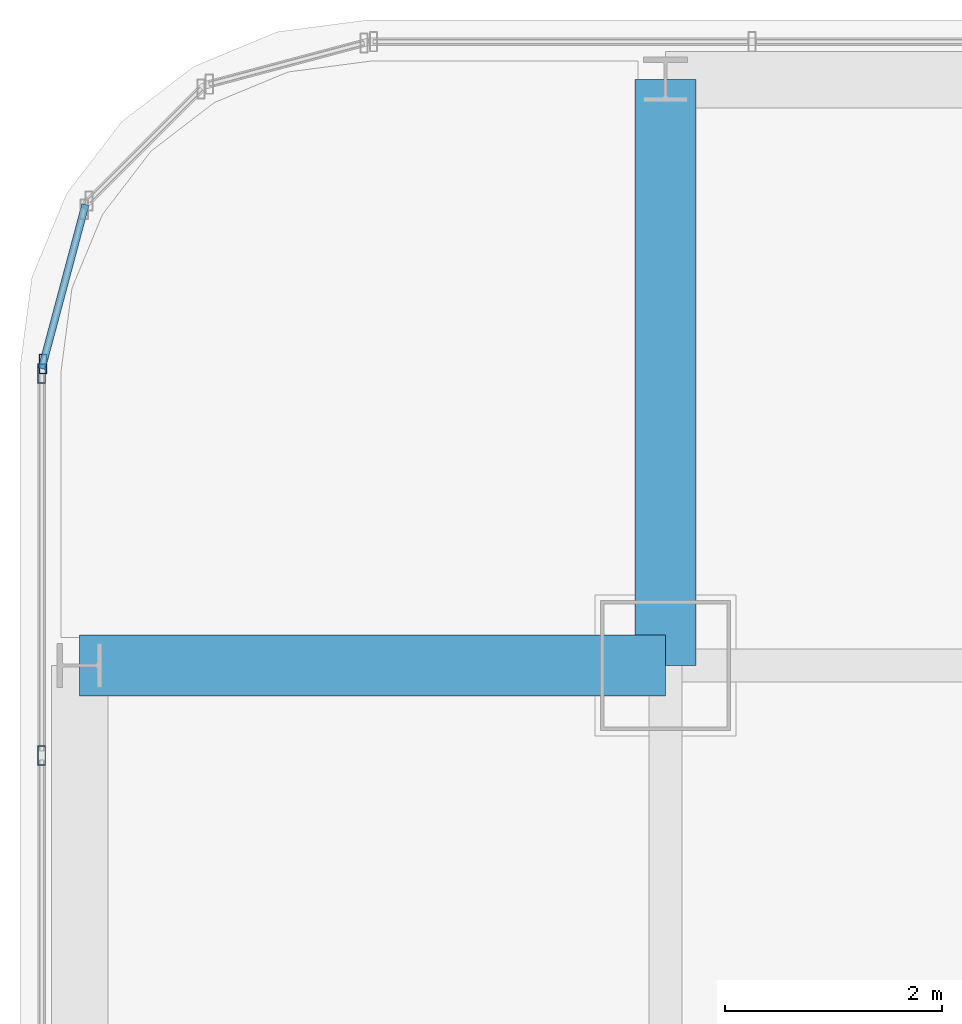
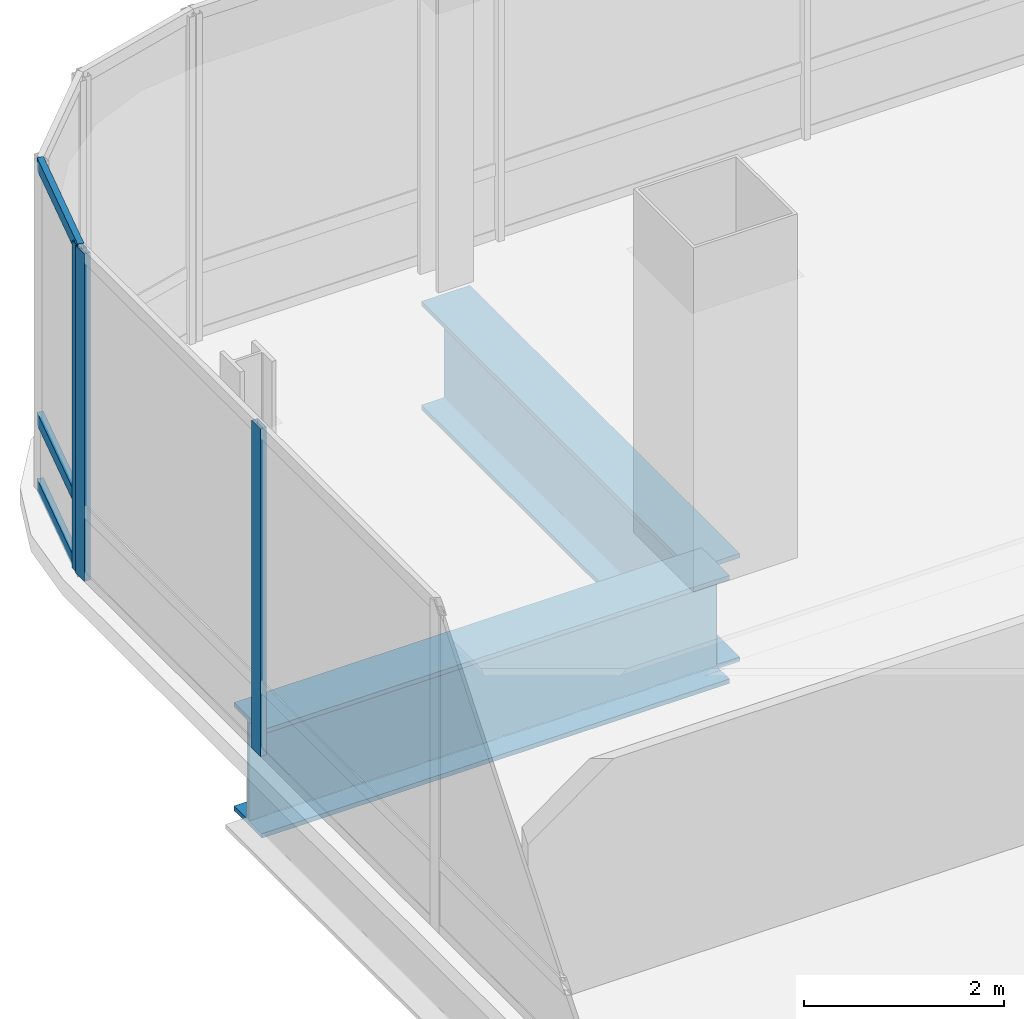
# One storey, part 21 of 42: 6 members, 2 beams, 2 elements without a shape of their own.
"""IFC4 building model written with IfcOpenShell, lengths in metres."""

import ifcopenshell
import ifcopenshell.guid

model = None  # the IFC model being written
_history = None  # IfcOwnerHistory: only IFC2X3 demands one
_inside = {}  # id of a spatial element -> (the spatial element, [elements in it])
_under = {}  # id of a project, library or spatial element -> (it, [spatial elements below it])
_declared = {}  # id of a project -> (the project, [libraries it declares])
_typed = {}  # id of a type object -> (the type object, [elements of that type])
_made_of = {}  # id of a material, layer set ... -> (it, [elements and type objects made of it])


def new_model(schema):
    """Start an empty IFC model of exactly this schema.

    Asked for "IFC4X3", IfcOpenShell would pick the latest addendum, in which some entities
    have other attributes; the version numbers below select the first issue.
    IFC2X3 requires an IfcOwnerHistory on every rooted entity: one is made here for all.
    """
    global model, _history
    if schema == "IFC4X3":
        model = ifcopenshell.file(schema_version=(4, 3, 0, 0))
    else:
        model = ifcopenshell.file(schema=schema)
    _inside.clear()
    _under.clear()
    _declared.clear()
    _typed.clear()
    _made_of.clear()
    _history = None
    if model.schema == "IFC2X3":
        org = make("IfcOrganization", Name="unknown")
        user = make(
            "IfcPersonAndOrganization",
            ThePerson=make("IfcPerson", FamilyName="unknown"),
            TheOrganization=org,
        )
        app = make(
            "IfcApplication",
            ApplicationDeveloper=org,
            Version="unknown",
            ApplicationFullName="unknown",
            ApplicationIdentifier="unknown",
        )
        _history = make(
            "IfcOwnerHistory",
            OwningUser=user,
            OwningApplication=app,
            ChangeAction="ADDED",
            CreationDate=0,
        )
    return model


def make(cls, **values):
    """One entity of the class cls with the attributes given. An attribute that is None is left unset."""
    return model.create_entity(
        cls, **{name: value for name, value in values.items() if value is not None}
    )


def rooted(cls, **values):
    """An entity with a GlobalId (a new one), such as an element, a storey or a relation."""
    return make(cls, GlobalId=ifcopenshell.guid.new(), OwnerHistory=_history, **values)


def si_unit(unit_type, name, prefix=None):
    """IfcSIUnit, for example si_unit("LENGTHUNIT", "METRE", prefix="MILLI")."""
    return make("IfcSIUnit", UnitType=unit_type, Prefix=prefix, Name=name)


def assignment(units):
    """IfcUnitAssignment: the units of a project."""
    return None if units is None else make("IfcUnitAssignment", Units=units)


def point(xyz):
    """IfcCartesianPoint."""
    return None if xyz is None else make("IfcCartesianPoint", Coordinates=xyz)


def direction(xyz):
    """IfcDirection."""
    return None if xyz is None else make("IfcDirection", DirectionRatios=xyz)


def frame(location, z_axis=None, x_axis=None):
    """IfcAxis2Placement3D, a coordinate frame: its origin and axes. An axis left out is left unset."""
    return make(
        "IfcAxis2Placement3D",
        Location=point(location),
        Axis=direction(z_axis),
        RefDirection=direction(x_axis),
    )


def frame_2d(location, x_axis=None):
    """IfcAxis2Placement2D, a coordinate frame in the plane: its origin and x axis."""
    return make(
        "IfcAxis2Placement2D", Location=point(location), RefDirection=direction(x_axis)
    )


def origin():
    """The frame at (0, 0, 0) with its axes left unset."""
    return frame((0.0, 0.0, 0.0))


def origin_2d():
    """The frame at (0, 0) in the plane with its x axis left unset."""
    return frame_2d((0.0, 0.0))


def place(relative_to, where):
    """IfcLocalPlacement: puts the frame where relative to a parent placement (None: the world)."""
    return make(
        "IfcLocalPlacement", PlacementRelTo=relative_to, RelativePlacement=where
    )


def context(
    kind, dimensions, precision=None, world=None, true_north=None, identifier=None
):
    """IfcGeometricRepresentationContext, for example the 3D "Model" context."""
    return make(
        "IfcGeometricRepresentationContext",
        ContextIdentifier=identifier,
        ContextType=kind,
        CoordinateSpaceDimension=dimensions,
        Precision=precision,
        WorldCoordinateSystem=world,
        TrueNorth=true_north,
    )


def subcontext(parent, identifier, kind, view, scale=None):
    """IfcGeometricRepresentationSubContext, for example "Body" below "Model"."""
    return make(
        "IfcGeometricRepresentationSubContext",
        ContextIdentifier=identifier,
        ContextType=kind,
        ParentContext=parent,
        TargetScale=scale,
        TargetView=view,
    )


def project(units=None, contexts=None):
    """IfcProject with its units and contexts."""
    return rooted(
        "IfcProject",
        Name="project",
        RepresentationContexts=contexts,
        UnitsInContext=assignment(units),
    )


def spatial(cls, under=None, at=None, **own):
    """A site, building, storey or space (cls), placed at a placement, below another one or the project."""
    s = rooted(cls, ObjectPlacement=at, **own)
    if under is not None:
        _under.setdefault(under.id(), (under, []))[1].append(s)
    return s


def profile(cls, at=None, kind="AREA", **sizes):
    """A parametric profile (cls). Its sizes go by their IFC names, for example OverallWidth=200.0."""
    return make(cls, ProfileType=kind, Position=at, **sizes)


def hollow_rectangle(**sizes):
    """IfcRectangleHollowProfileDef."""
    return profile("IfcRectangleHollowProfileDef", **sizes)


def i_section(**sizes):
    """IfcIShapeProfileDef."""
    return profile("IfcIShapeProfileDef", **sizes)


def extrude(swept, where, along, depth):
    """IfcExtrudedAreaSolid: the profile swept, set in the frame where, extruded along a direction by depth."""
    return make(
        "IfcExtrudedAreaSolid",
        SweptArea=swept,
        Position=where,
        ExtrudedDirection=direction(along),
        Depth=depth,
    )


def shape(context_of_items, identifier, shape_type, items):
    """IfcShapeRepresentation: the items that make up one representation, for example the "Body"."""
    return make(
        "IfcShapeRepresentation",
        ContextOfItems=context_of_items,
        RepresentationIdentifier=identifier,
        RepresentationType=shape_type,
        Items=items,
    )


def material(Name=None, Category=None):
    """IfcMaterial."""
    return make("IfcMaterial", Name=Name, Category=Category)


def material_profile(
    of_material, cross_section, Name=None, Category=None, Priority=None
):
    """IfcMaterialProfile: a cross section and its material."""
    return make(
        "IfcMaterialProfile",
        Name=Name,
        Material=of_material,
        Profile=cross_section,
        Priority=Priority,
        Category=Category,
    )


def profile_set(profiles, Name=None, composite=None):
    """IfcMaterialProfileSet."""
    return make(
        "IfcMaterialProfileSet",
        Name=Name,
        MaterialProfiles=profiles,
        CompositeProfile=composite,
    )


def made_of(thing, what):
    """Note that an element or type object is made of a material, layer set ...; save() writes the relation."""
    if what is not None:
        _made_of.setdefault(what.id(), (what, []))[1].append(thing)
    return thing


def type_object(cls, material=None, **own):
    """A type object (cls), such as IfcWallType, which elements share."""
    return made_of(rooted(cls, **own), material)


def element(
    cls,
    number,
    at=None,
    inside=None,
    cuts=None,
    type_object=None,
    material=None,
    context=None,
    identifier="Body",
    shape_type=None,
    held_by="IfcProductDefinitionShape",
    body=None,
    shapes=None,
    **own,
):
    """One element of the class cls, such as IfcWall. Its Tag is "e" and its number.

    at: its placement. inside: the storey or other place that contains it. cuts: it is an
    opening in that element (IfcRelVoidsElement). A single representation is given by context,
    identifier, shape_type and body (its items); several are given by shapes. held_by: the class
    of the entity that holds the representations. save() writes the other relations.
    """
    e = rooted(cls, Tag="e%d" % number, ObjectPlacement=at, **own)
    if body is not None:
        shapes = [shape(context, identifier, shape_type, body)]
    if shapes is not None:
        e.Representation = make(held_by, Representations=shapes)
    if inside is not None:
        _inside.setdefault(inside.id(), (inside, []))[1].append(e)
    if cuts is not None:
        rooted(
            "IfcRelVoidsElement", RelatingBuildingElement=cuts, RelatedOpeningElement=e
        )
    if type_object is not None:
        _typed.setdefault(type_object.id(), (type_object, []))[1].append(e)
    return made_of(e, material)


def aggregate(whole, parts):
    """IfcRelAggregates: a whole, such as a stair, and the parts it consists of."""
    return rooted("IfcRelAggregates", RelatingObject=whole, RelatedObjects=parts)


def save(model, path):
    """Write the relations noted so far, then the file.

    IfcRelAggregates (storeys below a building ...), IfcRelContainedInSpatialStructure (elements
    in a storey), IfcRelDefinesByType, IfcRelAssociatesMaterial and IfcRelDeclares: one each for
    every whole, place, type object, material and project.
    """
    for whole, parts in _under.values():
        aggregate(whole, parts)
    for where, things in _inside.values():
        rooted(
            "IfcRelContainedInSpatialStructure",
            RelatedElements=things,
            RelatingStructure=where,
        )
    for kind, things in _typed.values():
        rooted("IfcRelDefinesByType", RelatedObjects=things, RelatingType=kind)
    for what, things in _made_of.values():
        rooted("IfcRelAssociatesMaterial", RelatedObjects=things, RelatingMaterial=what)
    for by, libraries in _declared.values():
        rooted("IfcRelDeclares", RelatingContext=by, RelatedDefinitions=libraries)
    model.write(path)


model = new_model("IFC4")

# Units and contexts
model_context = context("Model", 3, precision=1e-05, world=origin(), true_north=direction((0.0, 1.0)))
body_context = subcontext(model_context, "Body", "Model", "MODEL_VIEW")
ifc_project = project(units=[si_unit("LENGTHUNIT", "METRE"), si_unit("AREAUNIT", "SQUARE_METRE"), si_unit("VOLUMEUNIT", "CUBIC_METRE"), si_unit("PLANEANGLEUNIT", "RADIAN"), si_unit("MASSUNIT", "GRAM", prefix="KILO")], contexts=[model_context])

# Site, building, storey
site_placement = place(None, origin())
site = spatial("IfcSite", under=ifc_project, at=site_placement, CompositionType="ELEMENT")
building_placement = place(site_placement, origin())
building = spatial("IfcBuilding", under=site, at=building_placement, Name="Punatoya Terracotta Tower", CompositionType="ELEMENT")
storey_placement = place(building_placement, frame((0.0, 0.0, 296.39990234375)))
storey = spatial("IfcBuildingStorey", under=building, at=storey_placement, Name="L70", CompositionType="ELEMENT", Elevation=296.39990234375)

# Beams
ifc_material_1 = material(Name="Steel S460", Category="steel")
ifc_material_profile_1 = material_profile(ifc_material_1, i_section(OverallWidth=0.56005859375, OverallDepth=1.320068359375, WebThickness=0.035888671875, FlangeThickness=0.054931640625, FilletRadius=0.01806640625, at=origin_2d()))
ifc_profile_set_1 = profile_set([ifc_material_profile_1], Name="Steel S460")
beam_type = type_object("IfcBeamType", Name="BM-TG-BLK", PredefinedType="BEAM", material=ifc_profile_set_1)
for number, where, z_axis, x_axis, name in (
    (1, (-24.5, 17.5, -0.85986328125), (1.0, 0.0, 0.0), (0.0, 1.0, 0.0), "BM-L70-CANT-W4"),
    (2, (-19.10009765625, 17.5, -0.85986328125), (0.0, 1.0, 0.0), (-1.0, 0.0, 0.0), "BM-L70-CANT-N1"),
):
    element("IfcBeam", number, at=place(storey_placement, frame(where, z_axis=z_axis, x_axis=x_axis)), inside=storey, type_object=beam_type, Name=name, PredefinedType="BEAM", context=body_context, shape_type="SweptSolid", body=[
        extrude(i_section(OverallWidth=0.56005859375, OverallDepth=1.320068359375, WebThickness=0.035888671875, FlangeThickness=0.054931640625, FilletRadius=0.01806640625, at=origin_2d()), origin(), (0.0, 0.0, 1.0), 5.39990234375),
    ])

# Curtain wall, member
ifc_material_2 = material(Name="Aluminium 6063-T6 + Double Low-E Glass", Category="aluminium")
curtain_wall_type = type_object("IfcCurtainWallType", Name="CW-M3", PredefinedType="NOTDEFINED", material=ifc_material_2)
curtain_wall_1_placement = place(storey_placement, origin())
curtain_wall_1 = element("IfcCurtainWall", 3, at=curtain_wall_1_placement, inside=storey, type_object=curtain_wall_type, Name="L70 Curtain Wall CW-L70-CRN12", PredefinedType="NOTDEFINED")
ifc_material_3 = material(Name="Aluminium 6063-T6", Category="aluminium")
ifc_material_profile_2 = material_profile(ifc_material_3, hollow_rectangle(XDim=0.070068359375, YDim=0.179931640625, WallThickness=0.00390625, at=origin_2d()))
ifc_profile_set_2 = profile_set([ifc_material_profile_2], Name="Aluminium 6063-T6")
member_type_1 = type_object("IfcMemberType", Name="CW-MUL-M3", PredefinedType="MULLION", material=ifc_profile_set_2)
member_1_placement = place(storey_placement, frame((-24.83837890625, 20.280517578125, 0.0), z_axis=(0.0, 0.0, 1.0), x_axis=(1.0, 0.0, 0.0)))
member_1 = element("IfcMember", 4, at=member_1_placement, type_object=member_type_1, Name="CW-L70-CRN12 Mullion 01", PredefinedType="MULLION", context=body_context, shape_type="SweptSolid", body=[
    extrude(hollow_rectangle(XDim=0.070068359375, YDim=0.179931640625, WallThickness=0.00390625, at=origin_2d()), origin(), (0.0, 0.0, 1.0), 4.0),
])

# Curtain wall, members
curtain_wall_2_placement = place(storey_placement, origin())
curtain_wall_2 = element("IfcCurtainWall", 5, at=curtain_wall_2_placement, inside=storey, type_object=curtain_wall_type, Name="L70 Curtain Wall CW-L70-W13-1", PredefinedType="NOTDEFINED")
member_2_placement = place(storey_placement, frame((-24.85009765625, 20.19189453125, 0.0), z_axis=(0.0, 0.0, 1.0), x_axis=(1.0, 0.0, 0.0)))
member_2 = element("IfcMember", 6, at=member_2_placement, type_object=member_type_1, Name="CW-L70-W13-1 Mullion 00", PredefinedType="MULLION", context=body_context, shape_type="SweptSolid", body=[
    extrude(hollow_rectangle(XDim=0.070068359375, YDim=0.179931640625, WallThickness=0.00390625, at=origin_2d()), origin(), (0.0, 0.0, 1.0), 4.0),
])
member_3_placement = place(storey_placement, frame((-24.85009765625, 16.66943359375, 0.0), z_axis=(0.0, 0.0, 1.0), x_axis=(1.0, 0.0, 0.0)))
member_3 = element("IfcMember", 7, at=member_3_placement, type_object=member_type_1, Name="CW-L70-W13-1 Mullion 01", PredefinedType="MULLION", context=body_context, shape_type="SweptSolid", body=[
    extrude(hollow_rectangle(XDim=0.070068359375, YDim=0.179931640625, WallThickness=0.00390625, at=origin_2d()), origin(), (0.0, 0.0, 1.0), 4.0),
])
aggregate(curtain_wall_2, [member_2, member_3])

# Member
ifc_material_profile_3 = material_profile(ifc_material_3, hollow_rectangle(XDim=0.068115234375, YDim=0.14990234375, WallThickness=0.00390625, at=origin_2d()))
ifc_profile_set_3 = profile_set([ifc_material_profile_3], Name="Aluminium 6063-T6")
member_type_2 = type_object("IfcMemberType", Name="CW-TRN-TYP", PredefinedType="USERDEFINED", material=ifc_profile_set_3)
member_4_placement = place(storey_placement, frame((-24.446533203125, 21.7490234375, 0.0400390625), z_axis=(-0.257847112249, -0.966185730957, 0.0), x_axis=(0.966185730957, -0.257847112249, 0.0)))
member_4 = element("IfcMember", 8, at=member_4_placement, type_object=member_type_2, Name="CW-L70-CRN12 Transom 1", ObjectType="TRANSOM", PredefinedType="USERDEFINED", context=body_context, shape_type="SweptSolid", body=[
    extrude(hollow_rectangle(XDim=0.068115234375, YDim=0.14990234375, WallThickness=0.00390625, at=origin_2d()), origin(), (0.0, 0.0, 1.0), 1.565185546875),
])

member_5_placement = place(storey_placement, frame((-24.446533203125, 21.7490234375, 0.85009765625), z_axis=(-0.257847112249, -0.966185730957, 0.0), x_axis=(0.966185730957, -0.257847112249, 0.0)))
member_5 = element("IfcMember", 9, at=member_5_placement, type_object=member_type_2, Name="CW-L70-CRN12 Transom 2", ObjectType="TRANSOM", PredefinedType="USERDEFINED", context=body_context, shape_type="SweptSolid", body=[
    extrude(hollow_rectangle(XDim=0.068115234375, YDim=0.14990234375, WallThickness=0.00390625, at=origin_2d()), origin(), (0.0, 0.0, 1.0), 1.565185546875),
])

member_6_placement = place(storey_placement, frame((-24.446533203125, 21.7490234375, 3.960205078125), z_axis=(-0.257847112249, -0.966185730957, 0.0), x_axis=(0.966185730957, -0.257847112249, 0.0)))
member_6 = element("IfcMember", 10, at=member_6_placement, type_object=member_type_2, Name="CW-L70-CRN12 Transom 3", ObjectType="TRANSOM", PredefinedType="USERDEFINED", context=body_context, shape_type="SweptSolid", body=[
    extrude(hollow_rectangle(XDim=0.068115234375, YDim=0.14990234375, WallThickness=0.00390625, at=origin_2d()), origin(), (0.0, 0.0, 1.0), 1.565185546875),
])

aggregate(curtain_wall_1, [member_1, member_4, member_5, member_6])

save(model, "model.ifc")
